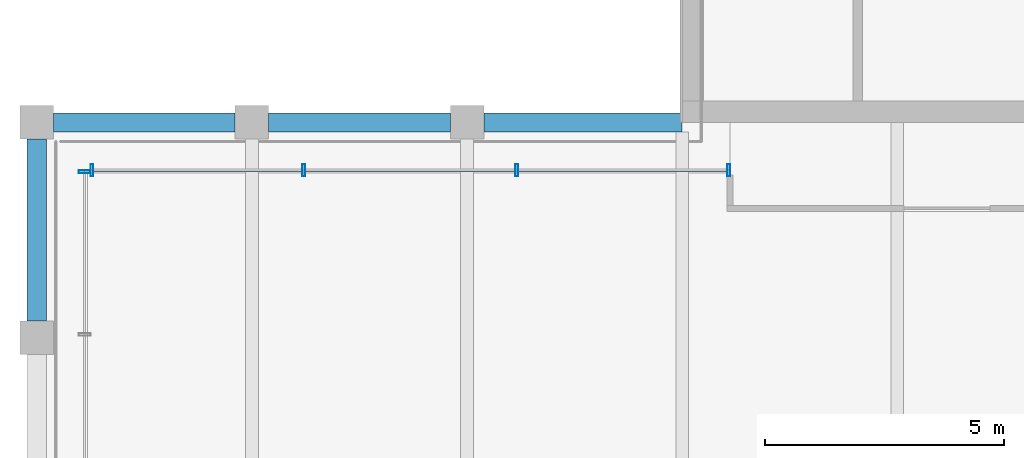
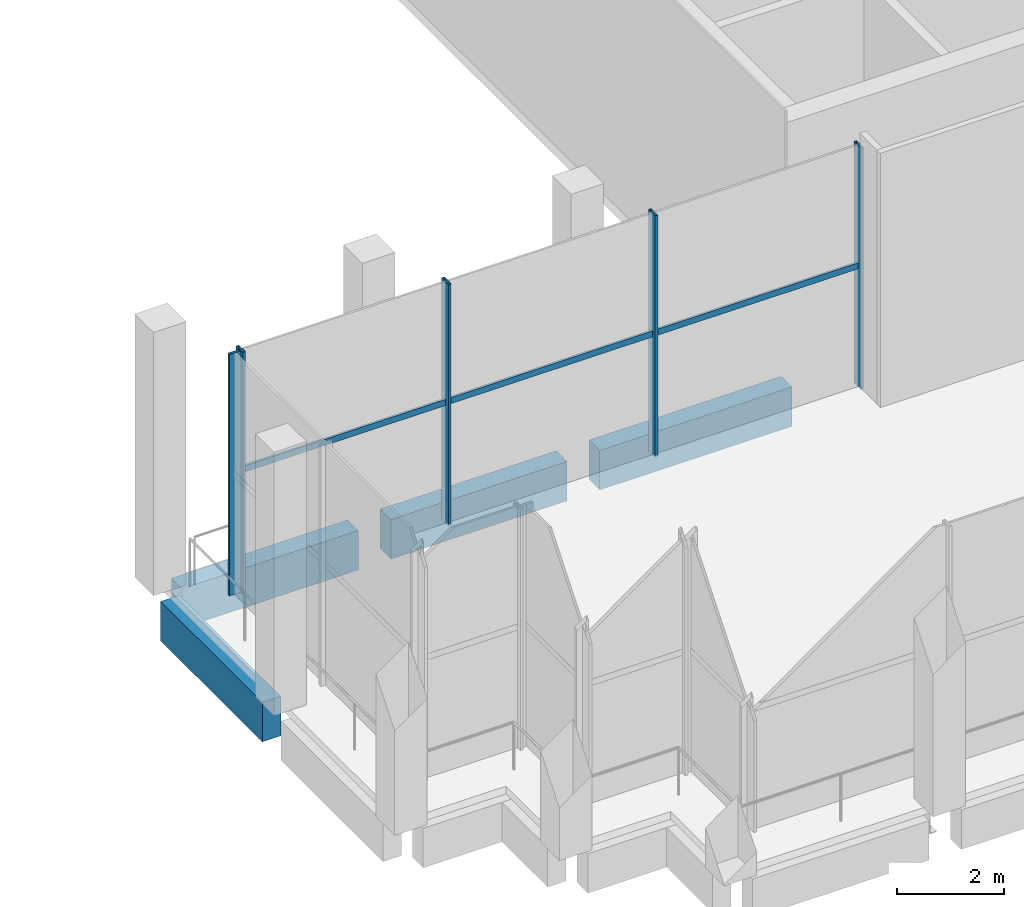
# One storey, part 4 of 15: 8 members, 4 beams, 2 elements without a shape of their own.
"""IFC4 building model written with IfcOpenShell, lengths in metres."""

from ifc_helpers import new_model, si_unit, direction, frame, origin, origin_2d, place, context, subcontext, project, spatial, rectangle, hollow_rectangle, extrude, material, material_profile, profile_set, type_object, element, aggregate, save


model = new_model("IFC4")

# Units and contexts
model_context = context("Model", 3, precision=1e-05, world=origin(), true_north=direction((0.0, 1.0)))
body_context = subcontext(model_context, "Body", "Model", "MODEL_VIEW")
ifc_project = project(units=[si_unit("LENGTHUNIT", "METRE"), si_unit("AREAUNIT", "SQUARE_METRE"), si_unit("VOLUMEUNIT", "CUBIC_METRE"), si_unit("PLANEANGLEUNIT", "RADIAN"), si_unit("MASSUNIT", "GRAM", prefix="KILO")], contexts=[model_context])

# Site, building, storey
site_placement = place(None, origin())
site = spatial("IfcSite", under=ifc_project, at=site_placement, CompositionType="ELEMENT")
building_placement = place(site_placement, origin())
building = spatial("IfcBuilding", under=site, at=building_placement, Name="Altepetl Exchange Towers", CompositionType="ELEMENT")
storey_placement = place(building_placement, frame((0.0, 0.0, 263.60009765625)))
storey = spatial("IfcBuildingStorey", under=building, at=storey_placement, Name="L67 Observation deck", CompositionType="ELEMENT", Elevation=263.60009765625)

# Curtain wall, members
ifc_material_1 = material(Name="Aluminium 6063-T6 glazing", Category="aluminium")
curtain_wall_type = type_object("IfcCurtainWallType", Name="Executive flush glazing system", PredefinedType="NOTDEFINED", material=ifc_material_1)
curtain_wall_1_placement = place(storey_placement, origin())
curtain_wall_1 = element("IfcCurtainWall", 1, at=curtain_wall_1_placement, inside=storey, type_object=curtain_wall_type, Name="CW4 run", PredefinedType="NOTDEFINED")
ifc_material_2 = material(Name="Aluminium 6063-T6", Category="aluminium")
ifc_material_profile_1 = material_profile(ifc_material_2, hollow_rectangle(XDim=0.06005859375, YDim=0.25, WallThickness=0.0029296875, at=origin_2d()), Name="Mullion 60x250 hollow aluminium")
ifc_profile_set_1 = profile_set([ifc_material_profile_1], Name="Aluminium 6063-T6")
member_type_1 = type_object("IfcMemberType", Name="Mullion 60x250 hollow aluminium", PredefinedType="MULLION", material=ifc_profile_set_1)
member_1_placement = place(storey_placement, frame((41.469970703125, 39.5, 0.0), z_axis=(0.0, 0.0, 1.0), x_axis=(-1.0, 0.0, 0.0)))
member_1 = element("IfcMember", 2, at=member_1_placement, type_object=member_type_1, Name="MU3 mullion", PredefinedType="MULLION", context=body_context, shape_type="SweptSolid", body=[
    extrude(hollow_rectangle(XDim=0.06005859375, YDim=0.25, WallThickness=0.0029296875, at=origin_2d()), origin(), (0.0, 0.0, 1.0), 5.5),
])
member_2_placement = place(storey_placement, frame((37.041748046875, 39.5, 0.0), z_axis=(0.0, 0.0, 1.0), x_axis=(-1.0, 0.0, 0.0)))
member_2 = element("IfcMember", 3, at=member_2_placement, type_object=member_type_1, Name="MU3 mullion", PredefinedType="MULLION", context=body_context, shape_type="SweptSolid", body=[
    extrude(hollow_rectangle(XDim=0.06005859375, YDim=0.25, WallThickness=0.0029296875, at=origin_2d()), origin(), (0.0, 0.0, 1.0), 5.5),
])
member_3_placement = place(storey_placement, frame((32.583251953125, 39.5, 0.0), z_axis=(0.0, 0.0, 1.0), x_axis=(-1.0, 0.0, 0.0)))
member_3 = element("IfcMember", 4, at=member_3_placement, type_object=member_type_1, Name="MU3 mullion", PredefinedType="MULLION", context=body_context, shape_type="SweptSolid", body=[
    extrude(hollow_rectangle(XDim=0.06005859375, YDim=0.25, WallThickness=0.0029296875, at=origin_2d()), origin(), (0.0, 0.0, 1.0), 5.5),
])
member_4_placement = place(storey_placement, frame((28.155029296875, 39.5, 0.0), z_axis=(0.0, 0.0, 1.0), x_axis=(-1.0, 0.0, 0.0)))
member_4 = element("IfcMember", 5, at=member_4_placement, type_object=member_type_1, Name="MU3 mullion", PredefinedType="MULLION", context=body_context, shape_type="SweptSolid", body=[
    extrude(hollow_rectangle(XDim=0.06005859375, YDim=0.25, WallThickness=0.0029296875, at=origin_2d()), origin(), (0.0, 0.0, 1.0), 5.5),
])

# Curtain wall, member
curtain_wall_2_placement = place(storey_placement, origin())
curtain_wall_2 = element("IfcCurtainWall", 6, at=curtain_wall_2_placement, inside=storey, type_object=curtain_wall_type, Name="CW4 run", PredefinedType="NOTDEFINED")
member_5_placement = place(storey_placement, frame((28.0, 39.469970703125, 0.0), z_axis=(0.0, 0.0, 1.0), x_axis=(0.0, -1.0, 0.0)))
member_5 = element("IfcMember", 7, at=member_5_placement, type_object=member_type_1, Name="MU3 mullion", PredefinedType="MULLION", context=body_context, shape_type="SweptSolid", body=[
    extrude(hollow_rectangle(XDim=0.06005859375, YDim=0.25, WallThickness=0.0029296875, at=origin_2d()), origin(), (0.0, 0.0, 1.0), 5.5),
])
aggregate(curtain_wall_2, [member_5])

# Beams
ifc_material_3 = material(Name="Concrete C50/60 precast with cantera blanca facing", Category="concrete")
ifc_material_profile_2 = material_profile(ifc_material_3, rectangle(XDim=0.39990234375, YDim=0.89990234375, at=origin_2d()), Name="400 x 900")
ifc_profile_set_2 = profile_set([ifc_material_profile_2], Name="Concrete C50/60 precast with cantera blanca facing")
beam_type_1 = type_object("IfcBeamType", Name="Spandrel beam 400x900 cantera blanca", PredefinedType="SPANDREL", material=ifc_profile_set_2)
beam_1_placement = place(storey_placement, frame((27.0, 40.14990234375, -0.625), z_axis=(0.0, -1.0, 0.0), x_axis=(1.0, 0.0, 0.0)))
element("IfcBeam", 8, at=beam_1_placement, inside=storey, type_object=beam_type_1, Name="sp:A:L67:026", PredefinedType="SPANDREL", context=body_context, shape_type="SweptSolid", body=[
    extrude(rectangle(XDim=0.39990234375, YDim=0.89990234375, at=origin_2d()), origin(), (0.0, 0.0, 1.0), 3.7998046875),
])
ifc_material_4 = material(Name="Concrete C50/60 precast with tezontle facing", Category="concrete")
ifc_material_profile_3 = material_profile(ifc_material_4, rectangle(XDim=0.39990234375, YDim=0.89990234375, at=origin_2d()), Name="400 x 900")
ifc_profile_set_3 = profile_set([ifc_material_profile_3], Name="Concrete C50/60 precast with tezontle facing")
beam_type_2 = type_object("IfcBeamType", Name="Spandrel beam 400x900 tezontle", PredefinedType="SPANDREL", material=ifc_profile_set_3)
beam_2_placement = place(storey_placement, frame((40.5, 40.5, -0.625), z_axis=(-1.0, 0.0, 0.0), x_axis=(0.0, -1.0, 0.0)))
element("IfcBeam", 9, at=beam_2_placement, inside=storey, type_object=beam_type_2, Name="sp:A:L67:023", PredefinedType="SPANDREL", context=body_context, shape_type="SweptSolid", body=[
    extrude(rectangle(XDim=0.39990234375, YDim=0.89990234375, at=origin_2d()), origin(), (0.0, 0.0, 1.0), 4.14990234375),
])
for number, where, z_axis, x_axis, name in (
    (10, (35.64990234375, 40.5, -0.625), (-1.0, 0.0, 0.0), (0.0, -1.0, 0.0), "sp:A:L67:024"),
    (11, (31.14990234375, 40.5, -0.625), (-1.0, 0.0, 0.0), (0.0, -1.0, 0.0), "sp:A:L67:025"),
):
    element("IfcBeam", number, at=place(storey_placement, frame(where, z_axis=z_axis, x_axis=x_axis)), inside=storey, type_object=beam_type_2, Name=name, PredefinedType="SPANDREL", context=body_context, shape_type="SweptSolid", body=[
        extrude(rectangle(XDim=0.39990234375, YDim=0.89990234375, at=origin_2d()), origin(), (0.0, 0.0, 1.0), 3.7998046875),
    ])

# Member
ifc_material_profile_4 = material_profile(ifc_material_2, hollow_rectangle(XDim=0.050048828125, YDim=0.139892578125, WallThickness=0.0029296875, at=origin_2d()), Name="Transom 50x140 hollow aluminium")
ifc_profile_set_4 = profile_set([ifc_material_profile_4], Name="Aluminium 6063-T6")
member_type_2 = type_object("IfcMemberType", Name="Transom 50x140 hollow aluminium", PredefinedType="USERDEFINED", material=ifc_profile_set_4)
member_6_placement = place(storey_placement, frame((41.43994140625, 39.5, 2.75), z_axis=(-1.0, 0.0, 0.0), x_axis=(0.0, -1.0, 0.0)))
member_6 = element("IfcMember", 12, at=member_6_placement, type_object=member_type_2, Name="TR2 transom", ObjectType="TRANSOM", PredefinedType="USERDEFINED", context=body_context, shape_type="SweptSolid", body=[
    extrude(hollow_rectangle(XDim=0.050048828125, YDim=0.139892578125, WallThickness=0.0029296875, at=origin_2d()), origin(), (0.0, 0.0, 1.0), 4.3681640625),
])

member_7_placement = place(storey_placement, frame((37.01171875, 39.5, 2.75), z_axis=(-1.0, 0.0, 0.0), x_axis=(0.0, -1.0, 0.0)))
member_7 = element("IfcMember", 13, at=member_7_placement, type_object=member_type_2, Name="TR2 transom", ObjectType="TRANSOM", PredefinedType="USERDEFINED", context=body_context, shape_type="SweptSolid", body=[
    extrude(hollow_rectangle(XDim=0.050048828125, YDim=0.139892578125, WallThickness=0.0029296875, at=origin_2d()), origin(), (0.0, 0.0, 1.0), 4.3984375),
])

member_8_placement = place(storey_placement, frame((32.55322265625, 39.5, 2.75), z_axis=(-1.0, 0.0, 0.0), x_axis=(0.0, -1.0, 0.0)))
member_8 = element("IfcMember", 14, at=member_8_placement, type_object=member_type_2, Name="TR2 transom", ObjectType="TRANSOM", PredefinedType="USERDEFINED", context=body_context, shape_type="SweptSolid", body=[
    extrude(hollow_rectangle(XDim=0.050048828125, YDim=0.139892578125, WallThickness=0.0029296875, at=origin_2d()), origin(), (0.0, 0.0, 1.0), 4.3681640625),
])

aggregate(curtain_wall_1, [member_1, member_2, member_3, member_4, member_6, member_7, member_8])

save(model, "model.ifc")
